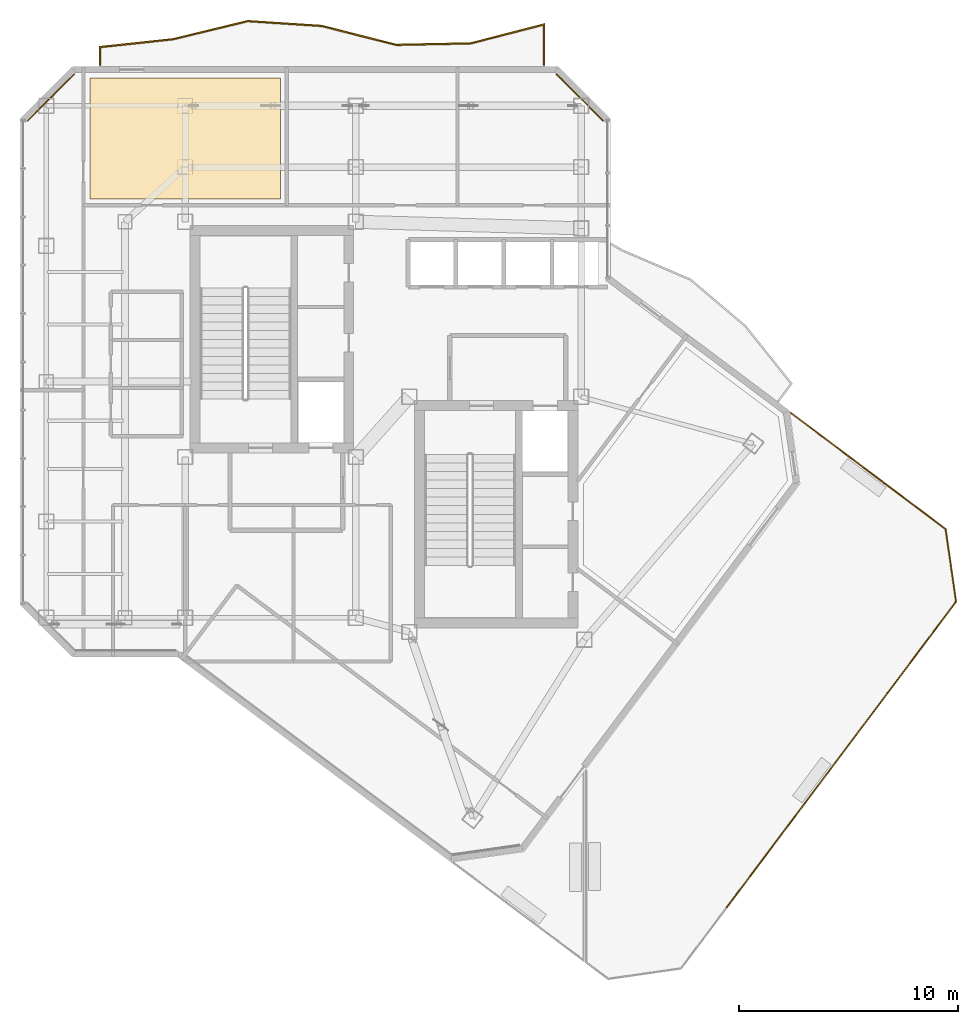
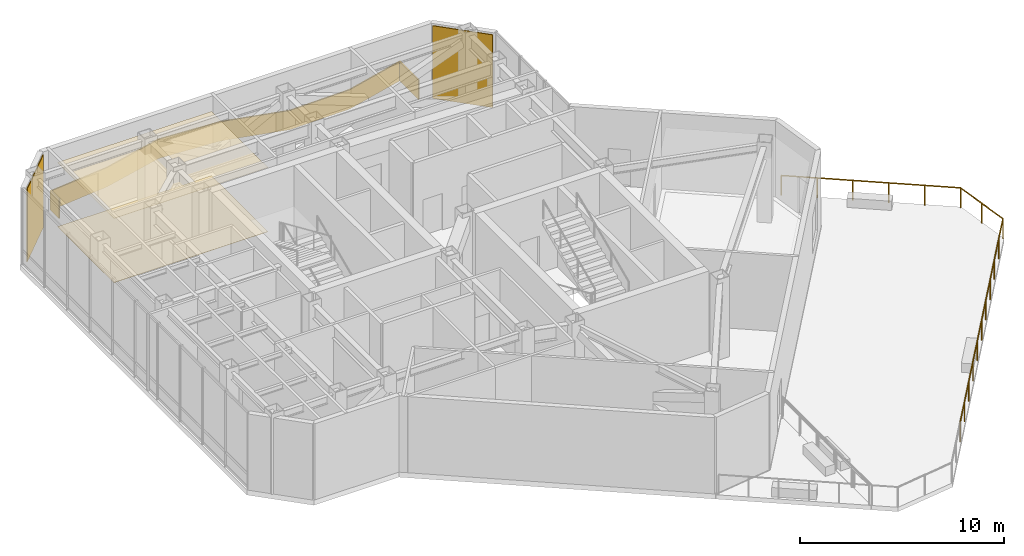
# One storey, part 21 of 21: 18 railings, 4 coverings.
"""IFC4 building model written with IfcOpenShell, lengths in metres."""

from ifc_helpers import new_model, si_unit, direction, frame, origin, origin_2d, place, context, subcontext, project, spatial, polyline, rectangle, circle, outline, extrude, material, layer, layer_set, type_object, element, save


model = new_model("IFC4")

# Units and contexts
model_context = context("Model", 3, precision=1e-05, world=origin(), true_north=direction((0.0, 1.0)))
body_context = subcontext(model_context, "Body", "Model", "MODEL_VIEW")
ifc_project = project(units=[si_unit("LENGTHUNIT", "METRE"), si_unit("AREAUNIT", "SQUARE_METRE"), si_unit("VOLUMEUNIT", "CUBIC_METRE"), si_unit("PLANEANGLEUNIT", "RADIAN"), si_unit("MASSUNIT", "GRAM", prefix="KILO")], contexts=[model_context])

# Site, building, storey
site_placement = place(None, origin())
site = spatial("IfcSite", under=ifc_project, at=site_placement, CompositionType="ELEMENT")
building_placement = place(site_placement, origin())
building = spatial("IfcBuilding", under=site, at=building_placement, Name="Hatsunagi Terrace Concourse", CompositionType="ELEMENT")
storey_placement = place(building_placement, frame((0.0, 0.0, 234.75)))
storey = spatial("IfcBuildingStorey", under=building, at=storey_placement, Name="L62", CompositionType="ELEMENT", Elevation=234.75)

# Covering
ifc_material_1 = material(Name="Acoustic mineral board", Category="gypsum")
ifc_layer_1 = layer(ifc_material_1, 0.02001953125)
ifc_layer_set_1 = layer_set([ifc_layer_1], Name="AcousticMineralCeiling_20")
covering_type_1 = type_object("IfcCoveringType", Name="AcousticMineralCeiling_20", PredefinedType="CEILING", material=ifc_layer_set_1)
covering_1_placement = place(storey_placement, frame((0.0, 0.0, 3.830078125)))
element("IfcCovering", 1, at=covering_1_placement, inside=storey, type_object=covering_type_1, Name="Suspended Ceiling L62-2", PredefinedType="CEILING", context=body_context, shape_type="SweptSolid", body=[
    extrude(outline(polyline([(21.199951171875, 49.8701171875), (21.199951171875, 44.35009765625), (29.89990234375, 44.35009765625), (29.89990234375, 49.8701171875), (21.199951171875, 49.8701171875)])), origin(), (0.0, 0.0, 1.0), 0.02001953125),
])

# Railing
ifc_material_2 = material(Name="Laminated Glass and Stainless Steel Guard", Category="steel")
ifc_layer_2 = layer(ifc_material_2, 0.070068359375)
ifc_layer_set_2 = layer_set([ifc_layer_2], Name="BalconyGlassGuardRail_1150")
railing_type_1 = type_object("IfcRailingType", Name="BalconyGlassGuardRail_1150", PredefinedType="BALUSTRADE", material=ifc_layer_set_2)
railing_1_placement = place(storey_placement, origin())
element("IfcRailing", 2, at=railing_1_placement, inside=storey, type_object=railing_type_1, Name="Engawa Balcony Guard GRD-01 L62-BN-1", PredefinedType="BALUSTRADE", context=body_context, shape_type="SweptSolid", body=[
    extrude(outline(polyline([(21.614990234375, 50.449951171875), (21.68505859375, 50.449951171875), (21.68505859375, 51.255615234375), (25.014892578125, 51.6123046875), (28.406982421875, 52.438720703125), (31.78662109375, 52.21923828125), (35.18994140625, 51.352783203125), (38.61181640625, 51.422119140625), (41.9150390625, 52.27490234375), (41.9150390625, 50.449951171875), (41.985107421875, 50.449951171875), (41.985107421875, 52.365234375), (38.602294921875, 51.491943359375), (35.197998046875, 51.423095703125), (31.797607421875, 52.288818359375), (28.40087890625, 52.50927734375), (25.0029296875, 51.681640625), (21.614990234375, 51.318359375), (21.614990234375, 50.449951171875)])), origin(), (0.0, 0.0, 1.0), 1.14990234375),
])

# Covering
ifc_material_3 = material(Name="Hardwood timber", Category="wood")
ifc_layer_3 = layer(ifc_material_3, 0.014892578125)
ifc_layer_set_3 = layer_set([ifc_layer_3], Name="HardwoodTimberFlooring_15")
covering_type_2 = type_object("IfcCoveringType", Name="HardwoodTimberFlooring_15", PredefinedType="FLOORING", material=ifc_layer_set_3)
covering_2_placement = place(storey_placement, origin())
element("IfcCovering", 3, at=covering_2_placement, inside=storey, type_object=covering_type_2, Name="Finished Flooring L62-2", PredefinedType="FLOORING", context=body_context, shape_type="SweptSolid", body=[
    extrude(outline(polyline([(21.199951171875, 49.8701171875), (21.199951171875, 44.35009765625), (29.89990234375, 44.35009765625), (29.89990234375, 49.8701171875), (21.199951171875, 49.8701171875)])), origin(), (0.0, 0.0, 1.0), 0.014892578125),
])

# Railings
ifc_material_4 = material(Name="Stainless Steel SUS316 Post-and-Rail Guard", Category="steel")
ifc_layer_4 = layer(ifc_material_4, 0.080078125)
ifc_layer_set_4 = layer_set([ifc_layer_4], Name="TerracePlantedGuardRail_1200")
railing_type_2 = type_object("IfcRailingType", Name="TerracePlantedGuardRail_1200", PredefinedType="GUARDRAIL", material=ifc_layer_set_4)
railing_2_placement = place(storey_placement, frame((53.240966796875, 34.55810546875, -0.0400390625)))
element("IfcRailing", 4, at=railing_2_placement, inside=storey, type_object=railing_type_2, Name="Sky Garden Guardrail GRD-02 TER-L62-2-1 #1", PredefinedType="GUARDRAIL", context=body_context, shape_type="SweptSolid", body=[
    extrude(circle(Radius=0.02392578125, at=origin_2d()), frame((0.0, 0.0, 1.17578125), z_axis=(0.799800697579, -0.600265644654, 0.0), x_axis=(0.600265644654, 0.799800697579, 0.0)), (0.0, 0.0, 1.0), 1.764404296875),
    extrude(circle(Radius=0.02099609375, at=origin_2d()), origin(), (0.0, 0.0, 1.0), 1.15185546875),
    extrude(circle(Radius=0.02099609375, at=origin_2d()), frame((1.4111328125, -1.05908203125, 0.0)), (0.0, 0.0, 1.0), 1.15185546875),
])
railing_3_placement = place(storey_placement, frame((54.658935546875, 33.493896484375, -0.0400390625)))
element("IfcRailing", 5, at=railing_3_placement, inside=storey, type_object=railing_type_2, Name="Sky Garden Guardrail GRD-02 TER-L62-2-1 #2", PredefinedType="GUARDRAIL", context=body_context, shape_type="SweptSolid", body=[
    extrude(circle(Radius=0.02392578125, at=origin_2d()), frame((0.0, 0.0, 1.17578125), z_axis=(0.800016646475, -0.599977804058, 0.0), x_axis=(0.599977804058, 0.800016646475, 0.0)), (0.0, 0.0, 1.0), 1.760009765625),
    extrude(circle(Radius=0.02099609375, at=origin_2d()), origin(), (0.0, 0.0, 1.0), 1.15185546875),
    extrude(circle(Radius=0.02099609375, at=origin_2d()), frame((1.407958984375, -1.055908203125, 0.0)), (0.0, 0.0, 1.0), 1.15185546875),
])
for number, where, name in (
    (6, (56.072998046875, 32.43310546875, -0.0400390625), "Sky Garden Guardrail GRD-02 TER-L62-2-1 #3"),
    (7, (57.487060546875, 31.3720703125, -0.0400390625), "Sky Garden Guardrail GRD-02 TER-L62-2-1 #4"),
):
    element("IfcRailing", number, at=place(storey_placement, frame(where)), inside=storey, type_object=railing_type_2, Name=name, PredefinedType="GUARDRAIL", context=body_context, shape_type="SweptSolid", body=[
        extrude(circle(Radius=0.02392578125, at=origin_2d()), frame((0.0, 0.0, 1.17578125), z_axis=(0.799950061037, -0.600066579512, 0.0), x_axis=(0.600066579512, 0.799950061037, 0.0)), (0.0, 0.0, 1.0), 1.760009765625),
        extrude(circle(Radius=0.02099609375, at=origin_2d()), origin(), (0.0, 0.0, 1.0), 1.15185546875),
        extrude(circle(Radius=0.02099609375, at=origin_2d()), frame((1.407958984375, -1.05615234375, 0.0)), (0.0, 0.0, 1.0), 1.15185546875),
    ])
railing_4_placement = place(storey_placement, frame((58.902099609375, 30.31103515625, -0.0400390625)))
element("IfcRailing", 8, at=railing_4_placement, inside=storey, type_object=railing_type_2, Name="Sky Garden Guardrail GRD-02 TER-L62-2-1 #5", PredefinedType="GUARDRAIL", context=body_context, shape_type="SweptSolid", body=[
    extrude(circle(Radius=0.02392578125, at=origin_2d()), frame((0.0, 0.0, 1.17578125), z_axis=(0.799750830605, -0.600332082223, 0.0), x_axis=(0.600332082223, 0.799750830605, 0.0)), (0.0, 0.0, 1.0), 1.76416015625),
    extrude(circle(Radius=0.02099609375, at=origin_2d()), origin(), (0.0, 0.0, 1.0), 1.15185546875),
    extrude(circle(Radius=0.02099609375, at=origin_2d()), frame((1.410888671875, -1.05908203125, 0.0)), (0.0, 0.0, 1.0), 1.15185546875),
])
for number, where, name in (
    (9, (60.31298828125, 29.251953125, -0.0400390625), "Sky Garden Guardrail GRD-02 TER-L62-2-1 #6"),
    (10, (60.551025390625, 27.589111328125, -0.0400390625), "Sky Garden Guardrail GRD-02 TER-L62-2-1 #7"),
):
    element("IfcRailing", number, at=place(storey_placement, frame(where)), inside=storey, type_object=railing_type_2, Name=name, PredefinedType="GUARDRAIL", context=body_context, shape_type="SweptSolid", body=[
        extrude(circle(Radius=0.02392578125, at=origin_2d()), frame((0.0, 0.0, 1.17578125), z_axis=(0.141707392031, -0.989908589236, 0.0), x_axis=(0.989908589236, 0.141707392031, 0.0)), (0.0, 0.0, 1.0), 1.6728515625),
        extrude(circle(Radius=0.02099609375, at=origin_2d()), origin(), (0.0, 0.0, 1.0), 1.15185546875),
        extrude(circle(Radius=0.02099609375, at=origin_2d()), frame((0.237060546875, -1.656005859375, 0.0)), (0.0, 0.0, 1.0), 1.15185546875),
    ])
railing_5_placement = place(storey_placement, frame((60.7880859375, 25.93310546875, -0.0400390625)))
element("IfcRailing", 11, at=railing_5_placement, inside=storey, type_object=railing_type_2, Name="Sky Garden Guardrail GRD-02 TER-L62-2-1 #8", PredefinedType="GUARDRAIL", context=body_context, shape_type="SweptSolid", body=[
    extrude(circle(Radius=0.02392578125, at=origin_2d()), frame((0.0, 0.0, 1.17578125), z_axis=(-0.600224097471, -0.799831877844, 0.0), x_axis=(0.799831877844, -0.600224097471, 0.0)), (0.0, 0.0, 1.0), 1.742919921875),
    extrude(circle(Radius=0.02099609375, at=origin_2d()), origin(), (0.0, 0.0, 1.0), 1.15185546875),
    extrude(circle(Radius=0.02099609375, at=origin_2d()), frame((-1.046142578125, -1.39404296875, 0.0)), (0.0, 0.0, 1.0), 1.15185546875),
])
railing_6_placement = place(storey_placement, frame((59.738037109375, 24.532958984375, -0.0400390625)))
element("IfcRailing", 12, at=railing_6_placement, inside=storey, type_object=railing_type_2, Name="Sky Garden Guardrail GRD-02 TER-L62-2-1 #9", PredefinedType="GUARDRAIL", context=body_context, shape_type="SweptSolid", body=[
    extrude(circle(Radius=0.02392578125, at=origin_2d()), frame((0.0, 0.0, 1.17578125), z_axis=(-0.600291963606, -0.799780944028, 0.0), x_axis=(0.799780944028, -0.600291963606, 0.0)), (0.0, 0.0, 1.0), 1.739013671875),
    extrude(circle(Radius=0.02099609375, at=origin_2d()), origin(), (0.0, 0.0, 1.0), 1.15185546875),
    extrude(circle(Radius=0.02099609375, at=origin_2d()), frame((-1.0439453125, -1.390869140625, 0.0)), (0.0, 0.0, 1.0), 1.15185546875),
])
railing_7_placement = place(storey_placement, frame((58.68994140625, 23.135009765625, -0.0400390625)))
element("IfcRailing", 13, at=railing_7_placement, inside=storey, type_object=railing_type_2, Name="Sky Garden Guardrail GRD-02 TER-L62-2-1 #10", PredefinedType="GUARDRAIL", context=body_context, shape_type="SweptSolid", body=[
    extrude(circle(Radius=0.02392578125, at=origin_2d()), frame((0.0, 0.0, 1.17578125), z_axis=(-0.600561649669, -0.799578454529, 0.0), x_axis=(0.799578454529, -0.600561649669, 0.0)), (0.0, 0.0, 1.0), 1.73828125),
    extrude(circle(Radius=0.02099609375, at=origin_2d()), origin(), (0.0, 0.0, 1.0), 1.15185546875),
    extrude(circle(Radius=0.02099609375, at=origin_2d()), frame((-1.0439453125, -1.389892578125, 0.0)), (0.0, 0.0, 1.0), 1.15185546875),
])
railing_8_placement = place(storey_placement, frame((57.64208984375, 21.738037109375, -0.0400390625)))
element("IfcRailing", 14, at=railing_8_placement, inside=storey, type_object=railing_type_2, Name="Sky Garden Guardrail GRD-02 TER-L62-2-1 #11", PredefinedType="GUARDRAIL", context=body_context, shape_type="SweptSolid", body=[
    extrude(circle(Radius=0.02392578125, at=origin_2d()), frame((0.0, 0.0, 1.17578125), z_axis=(-0.600583994691, -0.799561670743, 0.0), x_axis=(0.799561670743, -0.600583994691, 0.0)), (0.0, 0.0, 1.0), 1.738525390625),
    extrude(circle(Radius=0.02099609375, at=origin_2d()), origin(), (0.0, 0.0, 1.0), 1.15185546875),
    extrude(circle(Radius=0.02099609375, at=origin_2d()), frame((-1.044189453125, -1.39013671875, 0.0)), (0.0, 0.0, 1.0), 1.15185546875),
])
for number, where, name in (
    (15, (56.593994140625, 20.341064453125, -0.0400390625), "Sky Garden Guardrail GRD-02 TER-L62-2-1 #12"),
    (16, (55.5458984375, 18.944091796875, -0.0400390625), "Sky Garden Guardrail GRD-02 TER-L62-2-1 #13"),
    (17, (54.498046875, 17.547119140625, -0.0400390625), "Sky Garden Guardrail GRD-02 TER-L62-2-1 #14"),
):
    element("IfcRailing", number, at=place(storey_placement, frame(where)), inside=storey, type_object=railing_type_2, Name=name, PredefinedType="GUARDRAIL", context=body_context, shape_type="SweptSolid", body=[
        extrude(circle(Radius=0.02392578125, at=origin_2d()), frame((0.0, 0.0, 1.17578125), z_axis=(-0.600224569272, -0.799831523786, 0.0), x_axis=(0.799831523786, -0.600224569272, 0.0)), (0.0, 0.0, 1.0), 1.7392578125),
        extrude(circle(Radius=0.02099609375, at=origin_2d()), origin(), (0.0, 0.0, 1.0), 1.15185546875),
        extrude(circle(Radius=0.02099609375, at=origin_2d()), frame((-1.0439453125, -1.39111328125, 0.0)), (0.0, 0.0, 1.0), 1.15185546875),
    ])
railing_9_placement = place(storey_placement, frame((53.449951171875, 16.14990234375, -0.0400390625)))
element("IfcRailing", 18, at=railing_9_placement, inside=storey, type_object=railing_type_2, Name="Sky Garden Guardrail GRD-02 TER-L62-2-1 #15", PredefinedType="GUARDRAIL", context=body_context, shape_type="SweptSolid", body=[
    extrude(circle(Radius=0.02392578125, at=origin_2d()), frame((0.0, 0.0, 1.17578125), z_axis=(-0.600291963606, -0.799780944028, 0.0), x_axis=(0.799780944028, -0.600291963606, 0.0)), (0.0, 0.0, 1.0), 1.739013671875),
    extrude(circle(Radius=0.02099609375, at=origin_2d()), origin(), (0.0, 0.0, 1.0), 1.15185546875),
    extrude(circle(Radius=0.02099609375, at=origin_2d()), frame((-1.0439453125, -1.390869140625, 0.0)), (0.0, 0.0, 1.0), 1.15185546875),
])
railing_10_placement = place(storey_placement, frame((52.402099609375, 14.751953125, -0.0400390625)))
element("IfcRailing", 19, at=railing_10_placement, inside=storey, type_object=railing_type_2, Name="Sky Garden Guardrail GRD-02 TER-L62-2-1 #16", PredefinedType="GUARDRAIL", context=body_context, shape_type="SweptSolid", body=[
    extrude(circle(Radius=0.02392578125, at=origin_2d()), frame((0.0, 0.0, 1.17578125), z_axis=(-0.600651431223, -0.799511011913, 0.0), x_axis=(0.799511011913, -0.600651431223, 0.0)), (0.0, 0.0, 1.0), 1.738525390625),
    extrude(circle(Radius=0.02099609375, at=origin_2d()), origin(), (0.0, 0.0, 1.0), 1.15185546875),
    extrude(circle(Radius=0.02099609375, at=origin_2d()), frame((-1.044189453125, -1.389892578125, 0.0)), (0.0, 0.0, 1.0), 1.15185546875),
])
railing_11_placement = place(storey_placement, frame((51.35400390625, 13.35498046875, -0.0400390625)))
element("IfcRailing", 20, at=railing_11_placement, inside=storey, type_object=railing_type_2, Name="Sky Garden Guardrail GRD-02 TER-L62-2-1 #17", PredefinedType="GUARDRAIL", context=body_context, shape_type="SweptSolid", body=[
    extrude(circle(Radius=0.02392578125, at=origin_2d()), frame((0.0, 0.0, 1.17578125), z_axis=(-0.600561649669, -0.799578454529, 0.0), x_axis=(0.799578454529, -0.600561649669, 0.0)), (0.0, 0.0, 1.0), 1.73828125),
    extrude(circle(Radius=0.02099609375, at=origin_2d()), origin(), (0.0, 0.0, 1.0), 1.15185546875),
    extrude(circle(Radius=0.02099609375, at=origin_2d()), frame((-1.0439453125, -1.389892578125, 0.0)), (0.0, 0.0, 1.0), 1.15185546875),
])

# Coverings
ifc_material_5 = material(Name="Unglazed Warm Terracotta Rainscreen Tile", Category="masonry")
ifc_layer_5 = layer(ifc_material_5, 0.044921875)
ifc_layer_set_5 = layer_set([ifc_layer_5], Name="TerracottaRainscreenCladding_45")
covering_type_3 = type_object("IfcCoveringType", Name="TerracottaRainscreenCladding_45", PredefinedType="CLADDING", material=ifc_layer_set_5)
for number, where, z_axis, x_axis, name in (
    (21, (19.4140625, 48.986083984375, 0.099853515625), (0.0, 0.0, 1.0), (0.707106781187, 0.707106781187, 0.0), "Terracotta Rainscreen Cladding L62-09"),
    (22, (43.5859375, 48.986083984375, 0.099853515625), (0.0, 0.0, 1.0), (0.707106781187, -0.707106781187, 0.0), "Terracotta Rainscreen Cladding L62-11"),
):
    element("IfcCovering", number, at=place(storey_placement, frame(where, z_axis=z_axis, x_axis=x_axis)), inside=storey, type_object=covering_type_3, Name=name, PredefinedType="CLADDING", context=body_context, shape_type="SweptSolid", body=[
        extrude(rectangle(XDim=3.0380859375, YDim=0.044921875, at=origin_2d()), origin(), (0.0, 0.0, 1.0), 4.35009765625),
    ])

save(model, "model.ifc")
